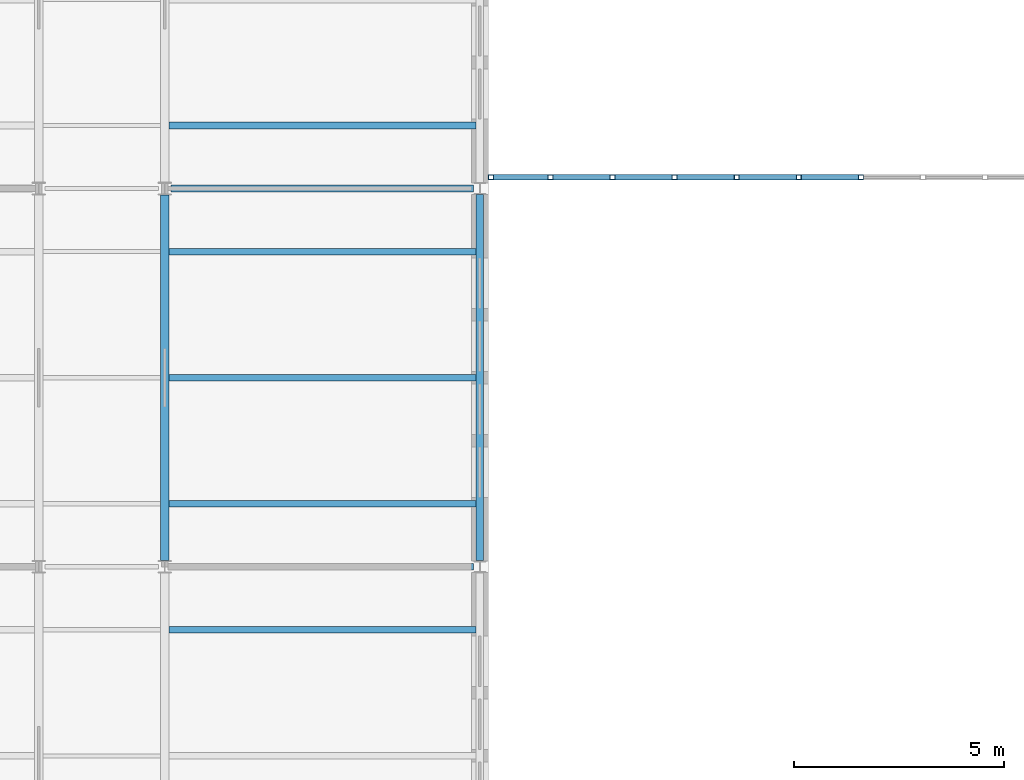
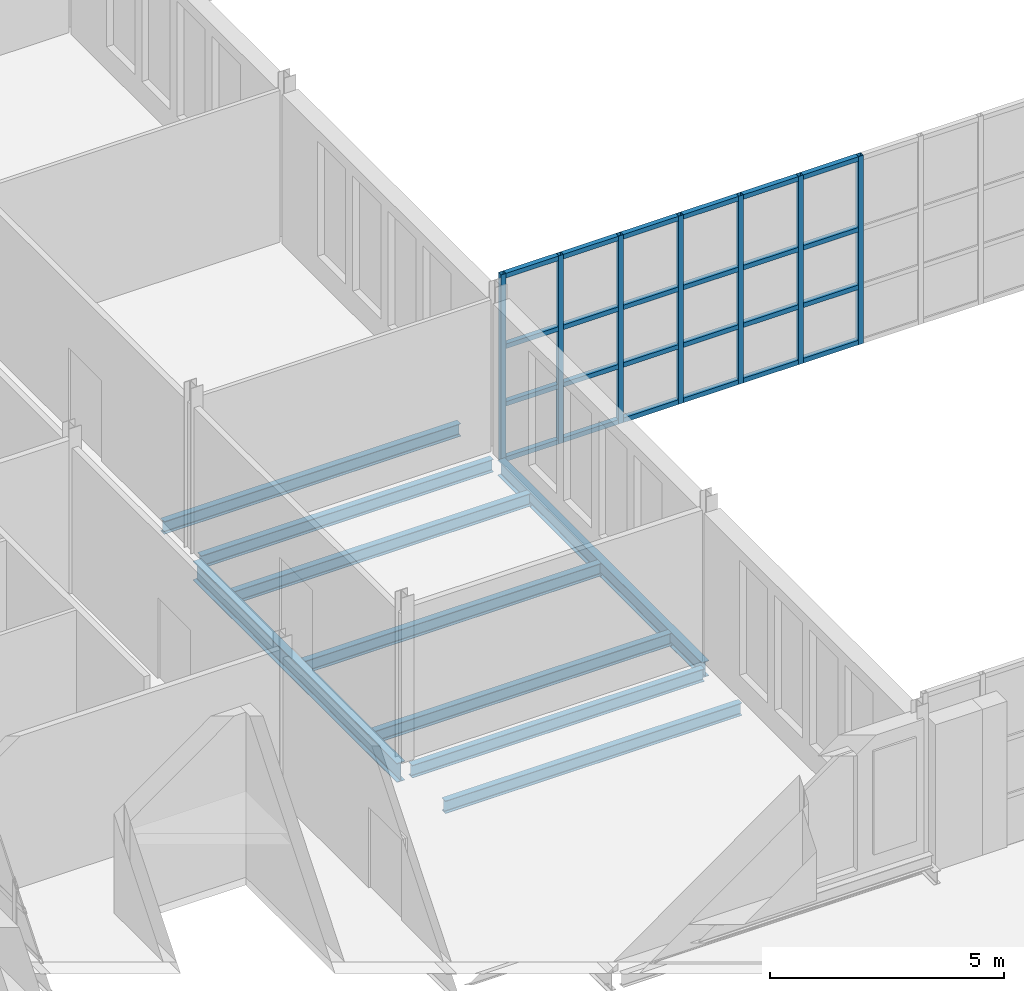
# One storey, part 26 of 134: 31 members, 9 beams, 1 element without a shape of its own.
"""IFC4 building model written with IfcOpenShell, lengths in metres."""

from ifc_helpers import new_model, si_unit, direction, frame, origin, origin_2d, place, context, subcontext, project, spatial, hollow_rectangle, i_section, extrude, material, material_profile, profile_set, type_object, element, aggregate, save


model = new_model("IFC4")

# Units and contexts
model_context = context("Model", 3, precision=1e-05, world=origin(), true_north=direction((0.0, 1.0)))
body_context = subcontext(model_context, "Body", "Model", "MODEL_VIEW")
ifc_project = project(units=[si_unit("LENGTHUNIT", "METRE"), si_unit("AREAUNIT", "SQUARE_METRE"), si_unit("VOLUMEUNIT", "CUBIC_METRE"), si_unit("PLANEANGLEUNIT", "RADIAN"), si_unit("MASSUNIT", "GRAM", prefix="KILO")], contexts=[model_context])

# Site, building, storey
site_placement = place(None, origin())
site = spatial("IfcSite", under=ifc_project, at=site_placement, CompositionType="ELEMENT")
building_placement = place(site_placement, origin())
building = spatial("IfcBuilding", under=site, at=building_placement, Name="Golden Quay Civic Hall", CompositionType="ELEMENT")
storey_placement = place(building_placement, frame((0.0, 0.0, 5.39990234375)))
storey = spatial("IfcBuildingStorey", under=building, at=storey_placement, Name="L01", CompositionType="ELEMENT", Elevation=5.39990234375)

# Curtain wall, members
ifc_material_1 = material(Name="Fire-resisting glass and steel", Category="steel")
curtain_wall_type = type_object("IfcCurtainWallType", Name="Fire-resisting glazed curtain wall EI 120", PredefinedType="NOTDEFINED", material=ifc_material_1)
curtain_wall_placement = place(storey_placement, origin())
curtain_wall = element("IfcCurtainWall", 1, at=curtain_wall_placement, inside=storey, type_object=curtain_wall_type, Name="CW3 curtain wall", PredefinedType="NOTDEFINED")
ifc_material_2 = material(Name="Steel S355", Category="steel")
ifc_material_profile_1 = material_profile(ifc_material_2, hollow_rectangle(XDim=0.1201171875, YDim=0.1201171875, WallThickness=0.008056640625, at=origin_2d()), Name="SHS 120x120x8")
ifc_profile_set_1 = profile_set([ifc_material_profile_1], Name="Steel S355")
member_type_1 = type_object("IfcMemberType", Name="Fire-resisting steel mullion SHS 120x120x8", PredefinedType="MULLION", material=ifc_profile_set_1)
member_1_placement = place(storey_placement, frame((72.260009765625, 18.27001953125, -0.599853515625), z_axis=(0.0, 0.0, 1.0), x_axis=(0.0, 1.0, 0.0)))
member_1 = element("IfcMember", 2, at=member_1_placement, type_object=member_type_1, Name="CW3 mullion 1", PredefinedType="MULLION", context=body_context, shape_type="SweptSolid", body=[
    extrude(hollow_rectangle(XDim=0.1201171875, YDim=0.1201171875, WallThickness=0.008056640625, at=origin_2d()), origin(), (0.0, 0.0, 1.0), 4.89990234375),
])
member_2_placement = place(storey_placement, frame((73.677734375, 18.27001953125, -0.599853515625), z_axis=(0.0, 0.0, 1.0), x_axis=(0.0, 1.0, 0.0)))
member_2 = element("IfcMember", 3, at=member_2_placement, type_object=member_type_1, Name="CW3 mullion 2", PredefinedType="MULLION", context=body_context, shape_type="SweptSolid", body=[
    extrude(hollow_rectangle(XDim=0.1201171875, YDim=0.1201171875, WallThickness=0.008056640625, at=origin_2d()), origin(), (0.0, 0.0, 1.0), 4.89990234375),
])
member_3_placement = place(storey_placement, frame((75.155517578125, 18.27001953125, -0.599853515625), z_axis=(0.0, 0.0, 1.0), x_axis=(0.0, 1.0, 0.0)))
member_3 = element("IfcMember", 4, at=member_3_placement, type_object=member_type_1, Name="CW3 mullion 3", PredefinedType="MULLION", context=body_context, shape_type="SweptSolid", body=[
    extrude(hollow_rectangle(XDim=0.1201171875, YDim=0.1201171875, WallThickness=0.008056640625, at=origin_2d()), origin(), (0.0, 0.0, 1.0), 4.89990234375),
])
member_4_placement = place(storey_placement, frame((76.63330078125, 18.27001953125, -0.599853515625), z_axis=(0.0, 0.0, 1.0), x_axis=(0.0, 1.0, 0.0)))
member_4 = element("IfcMember", 5, at=member_4_placement, type_object=member_type_1, Name="CW3 mullion 4", PredefinedType="MULLION", context=body_context, shape_type="SweptSolid", body=[
    extrude(hollow_rectangle(XDim=0.1201171875, YDim=0.1201171875, WallThickness=0.008056640625, at=origin_2d()), origin(), (0.0, 0.0, 1.0), 4.89990234375),
])
member_5_placement = place(storey_placement, frame((78.111083984375, 18.27001953125, -0.599853515625), z_axis=(0.0, 0.0, 1.0), x_axis=(0.0, 1.0, 0.0)))
member_5 = element("IfcMember", 6, at=member_5_placement, type_object=member_type_1, Name="CW3 mullion 5", PredefinedType="MULLION", context=body_context, shape_type="SweptSolid", body=[
    extrude(hollow_rectangle(XDim=0.1201171875, YDim=0.1201171875, WallThickness=0.008056640625, at=origin_2d()), origin(), (0.0, 0.0, 1.0), 4.89990234375),
])
member_6_placement = place(storey_placement, frame((79.5888671875, 18.27001953125, -0.599853515625), z_axis=(0.0, 0.0, 1.0), x_axis=(0.0, 1.0, 0.0)))
member_6 = element("IfcMember", 7, at=member_6_placement, type_object=member_type_1, Name="CW3 mullion 6", PredefinedType="MULLION", context=body_context, shape_type="SweptSolid", body=[
    extrude(hollow_rectangle(XDim=0.1201171875, YDim=0.1201171875, WallThickness=0.008056640625, at=origin_2d()), origin(), (0.0, 0.0, 1.0), 4.89990234375),
])
member_7_placement = place(storey_placement, frame((81.066650390625, 18.27001953125, -0.599853515625), z_axis=(0.0, 0.0, 1.0), x_axis=(0.0, 1.0, 0.0)))
member_7 = element("IfcMember", 8, at=member_7_placement, type_object=member_type_1, Name="CW3 mullion 7", PredefinedType="MULLION", context=body_context, shape_type="SweptSolid", body=[
    extrude(hollow_rectangle(XDim=0.1201171875, YDim=0.1201171875, WallThickness=0.008056640625, at=origin_2d()), origin(), (0.0, 0.0, 1.0), 4.89990234375),
])
ifc_material_3 = material(Name="Steel S355", Category="steel")
ifc_material_profile_2 = material_profile(ifc_material_3, hollow_rectangle(XDim=0.1201171875, YDim=0.1201171875, WallThickness=0.008056640625, at=origin_2d()), Name="SHS 120x120x8")
ifc_profile_set_2 = profile_set([ifc_material_profile_2], Name="Steel S355")
member_type_2 = type_object("IfcMemberType", Name="Fire-resisting steel transom SHS 120x120x8", PredefinedType="USERDEFINED", material=ifc_profile_set_2)
member_8_placement = place(storey_placement, frame((72.320068359375, 18.27001953125, -0.539794921875), z_axis=(1.0, 0.0, 0.0), x_axis=(0.0, 1.0, 0.0)))
member_8 = element("IfcMember", 9, at=member_8_placement, type_object=member_type_2, Name="CW3 transom 1.1", ObjectType="TRANSOM", PredefinedType="USERDEFINED", context=body_context, shape_type="SweptSolid", body=[
    extrude(hollow_rectangle(XDim=0.1201171875, YDim=0.1201171875, WallThickness=0.008056640625, at=origin_2d()), origin(), (0.0, 0.0, 1.0), 1.297607421875),
])
member_9_placement = place(storey_placement, frame((72.320068359375, 18.27001953125, 0.900146484375), z_axis=(1.0, 0.0, 0.0), x_axis=(0.0, 1.0, 0.0)))
member_9 = element("IfcMember", 10, at=member_9_placement, type_object=member_type_2, Name="CW3 transom 1.2", ObjectType="TRANSOM", PredefinedType="USERDEFINED", context=body_context, shape_type="SweptSolid", body=[
    extrude(hollow_rectangle(XDim=0.1201171875, YDim=0.1201171875, WallThickness=0.008056640625, at=origin_2d()), origin(), (0.0, 0.0, 1.0), 1.297607421875),
])
member_10_placement = place(storey_placement, frame((72.320068359375, 18.27001953125, 2.400146484375), z_axis=(1.0, 0.0, 0.0), x_axis=(0.0, 1.0, 0.0)))
member_10 = element("IfcMember", 11, at=member_10_placement, type_object=member_type_2, Name="CW3 transom 1.3", ObjectType="TRANSOM", PredefinedType="USERDEFINED", context=body_context, shape_type="SweptSolid", body=[
    extrude(hollow_rectangle(XDim=0.1201171875, YDim=0.1201171875, WallThickness=0.008056640625, at=origin_2d()), origin(), (0.0, 0.0, 1.0), 1.297607421875),
])
member_11_placement = place(storey_placement, frame((72.320068359375, 18.27001953125, 4.239990234375), z_axis=(1.0, 0.0, 0.0), x_axis=(0.0, 1.0, 0.0)))
member_11 = element("IfcMember", 12, at=member_11_placement, type_object=member_type_2, Name="CW3 transom 1.4", ObjectType="TRANSOM", PredefinedType="USERDEFINED", context=body_context, shape_type="SweptSolid", body=[
    extrude(hollow_rectangle(XDim=0.1201171875, YDim=0.1201171875, WallThickness=0.008056640625, at=origin_2d()), origin(), (0.0, 0.0, 1.0), 1.297607421875),
])
member_12_placement = place(storey_placement, frame((73.73779296875, 18.27001953125, -0.539794921875), z_axis=(1.0, 0.0, 0.0), x_axis=(0.0, 1.0, 0.0)))
member_12 = element("IfcMember", 13, at=member_12_placement, type_object=member_type_2, Name="CW3 transom 2.1", ObjectType="TRANSOM", PredefinedType="USERDEFINED", context=body_context, shape_type="SweptSolid", body=[
    extrude(hollow_rectangle(XDim=0.1201171875, YDim=0.1201171875, WallThickness=0.008056640625, at=origin_2d()), origin(), (0.0, 0.0, 1.0), 1.357666015625),
])
member_13_placement = place(storey_placement, frame((73.73779296875, 18.27001953125, 0.900146484375), z_axis=(1.0, 0.0, 0.0), x_axis=(0.0, 1.0, 0.0)))
member_13 = element("IfcMember", 14, at=member_13_placement, type_object=member_type_2, Name="CW3 transom 2.2", ObjectType="TRANSOM", PredefinedType="USERDEFINED", context=body_context, shape_type="SweptSolid", body=[
    extrude(hollow_rectangle(XDim=0.1201171875, YDim=0.1201171875, WallThickness=0.008056640625, at=origin_2d()), origin(), (0.0, 0.0, 1.0), 1.357666015625),
])
member_14_placement = place(storey_placement, frame((73.73779296875, 18.27001953125, 2.400146484375), z_axis=(1.0, 0.0, 0.0), x_axis=(0.0, 1.0, 0.0)))
member_14 = element("IfcMember", 15, at=member_14_placement, type_object=member_type_2, Name="CW3 transom 2.3", ObjectType="TRANSOM", PredefinedType="USERDEFINED", context=body_context, shape_type="SweptSolid", body=[
    extrude(hollow_rectangle(XDim=0.1201171875, YDim=0.1201171875, WallThickness=0.008056640625, at=origin_2d()), origin(), (0.0, 0.0, 1.0), 1.357666015625),
])
member_15_placement = place(storey_placement, frame((73.73779296875, 18.27001953125, 4.239990234375), z_axis=(1.0, 0.0, 0.0), x_axis=(0.0, 1.0, 0.0)))
member_15 = element("IfcMember", 16, at=member_15_placement, type_object=member_type_2, Name="CW3 transom 2.4", ObjectType="TRANSOM", PredefinedType="USERDEFINED", context=body_context, shape_type="SweptSolid", body=[
    extrude(hollow_rectangle(XDim=0.1201171875, YDim=0.1201171875, WallThickness=0.008056640625, at=origin_2d()), origin(), (0.0, 0.0, 1.0), 1.357666015625),
])
member_16_placement = place(storey_placement, frame((75.215576171875, 18.27001953125, -0.539794921875), z_axis=(1.0, 0.0, 0.0), x_axis=(0.0, 1.0, 0.0)))
member_16 = element("IfcMember", 17, at=member_16_placement, type_object=member_type_2, Name="CW3 transom 3.1", ObjectType="TRANSOM", PredefinedType="USERDEFINED", context=body_context, shape_type="SweptSolid", body=[
    extrude(hollow_rectangle(XDim=0.1201171875, YDim=0.1201171875, WallThickness=0.008056640625, at=origin_2d()), origin(), (0.0, 0.0, 1.0), 1.357666015625),
])
member_17_placement = place(storey_placement, frame((75.215576171875, 18.27001953125, 0.900146484375), z_axis=(1.0, 0.0, 0.0), x_axis=(0.0, 1.0, 0.0)))
member_17 = element("IfcMember", 18, at=member_17_placement, type_object=member_type_2, Name="CW3 transom 3.2", ObjectType="TRANSOM", PredefinedType="USERDEFINED", context=body_context, shape_type="SweptSolid", body=[
    extrude(hollow_rectangle(XDim=0.1201171875, YDim=0.1201171875, WallThickness=0.008056640625, at=origin_2d()), origin(), (0.0, 0.0, 1.0), 1.357666015625),
])
member_18_placement = place(storey_placement, frame((75.215576171875, 18.27001953125, 2.400146484375), z_axis=(1.0, 0.0, 0.0), x_axis=(0.0, 1.0, 0.0)))
member_18 = element("IfcMember", 19, at=member_18_placement, type_object=member_type_2, Name="CW3 transom 3.3", ObjectType="TRANSOM", PredefinedType="USERDEFINED", context=body_context, shape_type="SweptSolid", body=[
    extrude(hollow_rectangle(XDim=0.1201171875, YDim=0.1201171875, WallThickness=0.008056640625, at=origin_2d()), origin(), (0.0, 0.0, 1.0), 1.357666015625),
])
member_19_placement = place(storey_placement, frame((75.215576171875, 18.27001953125, 4.239990234375), z_axis=(1.0, 0.0, 0.0), x_axis=(0.0, 1.0, 0.0)))
member_19 = element("IfcMember", 20, at=member_19_placement, type_object=member_type_2, Name="CW3 transom 3.4", ObjectType="TRANSOM", PredefinedType="USERDEFINED", context=body_context, shape_type="SweptSolid", body=[
    extrude(hollow_rectangle(XDim=0.1201171875, YDim=0.1201171875, WallThickness=0.008056640625, at=origin_2d()), origin(), (0.0, 0.0, 1.0), 1.357666015625),
])
member_20_placement = place(storey_placement, frame((76.693359375, 18.27001953125, -0.539794921875), z_axis=(1.0, 0.0, 0.0), x_axis=(0.0, 1.0, 0.0)))
member_20 = element("IfcMember", 21, at=member_20_placement, type_object=member_type_2, Name="CW3 transom 4.1", ObjectType="TRANSOM", PredefinedType="USERDEFINED", context=body_context, shape_type="SweptSolid", body=[
    extrude(hollow_rectangle(XDim=0.1201171875, YDim=0.1201171875, WallThickness=0.008056640625, at=origin_2d()), origin(), (0.0, 0.0, 1.0), 1.357666015625),
])
member_21_placement = place(storey_placement, frame((76.693359375, 18.27001953125, 0.900146484375), z_axis=(1.0, 0.0, 0.0), x_axis=(0.0, 1.0, 0.0)))
member_21 = element("IfcMember", 22, at=member_21_placement, type_object=member_type_2, Name="CW3 transom 4.2", ObjectType="TRANSOM", PredefinedType="USERDEFINED", context=body_context, shape_type="SweptSolid", body=[
    extrude(hollow_rectangle(XDim=0.1201171875, YDim=0.1201171875, WallThickness=0.008056640625, at=origin_2d()), origin(), (0.0, 0.0, 1.0), 1.357666015625),
])
member_22_placement = place(storey_placement, frame((76.693359375, 18.27001953125, 2.400146484375), z_axis=(1.0, 0.0, 0.0), x_axis=(0.0, 1.0, 0.0)))
member_22 = element("IfcMember", 23, at=member_22_placement, type_object=member_type_2, Name="CW3 transom 4.3", ObjectType="TRANSOM", PredefinedType="USERDEFINED", context=body_context, shape_type="SweptSolid", body=[
    extrude(hollow_rectangle(XDim=0.1201171875, YDim=0.1201171875, WallThickness=0.008056640625, at=origin_2d()), origin(), (0.0, 0.0, 1.0), 1.357666015625),
])
member_23_placement = place(storey_placement, frame((76.693359375, 18.27001953125, 4.239990234375), z_axis=(1.0, 0.0, 0.0), x_axis=(0.0, 1.0, 0.0)))
member_23 = element("IfcMember", 24, at=member_23_placement, type_object=member_type_2, Name="CW3 transom 4.4", ObjectType="TRANSOM", PredefinedType="USERDEFINED", context=body_context, shape_type="SweptSolid", body=[
    extrude(hollow_rectangle(XDim=0.1201171875, YDim=0.1201171875, WallThickness=0.008056640625, at=origin_2d()), origin(), (0.0, 0.0, 1.0), 1.357666015625),
])
member_24_placement = place(storey_placement, frame((78.171142578125, 18.27001953125, -0.539794921875), z_axis=(1.0, 0.0, 0.0), x_axis=(0.0, 1.0, 0.0)))
member_24 = element("IfcMember", 25, at=member_24_placement, type_object=member_type_2, Name="CW3 transom 5.1", ObjectType="TRANSOM", PredefinedType="USERDEFINED", context=body_context, shape_type="SweptSolid", body=[
    extrude(hollow_rectangle(XDim=0.1201171875, YDim=0.1201171875, WallThickness=0.008056640625, at=origin_2d()), origin(), (0.0, 0.0, 1.0), 1.357666015625),
])
member_25_placement = place(storey_placement, frame((78.171142578125, 18.27001953125, 0.900146484375), z_axis=(1.0, 0.0, 0.0), x_axis=(0.0, 1.0, 0.0)))
member_25 = element("IfcMember", 26, at=member_25_placement, type_object=member_type_2, Name="CW3 transom 5.2", ObjectType="TRANSOM", PredefinedType="USERDEFINED", context=body_context, shape_type="SweptSolid", body=[
    extrude(hollow_rectangle(XDim=0.1201171875, YDim=0.1201171875, WallThickness=0.008056640625, at=origin_2d()), origin(), (0.0, 0.0, 1.0), 1.357666015625),
])
member_26_placement = place(storey_placement, frame((78.171142578125, 18.27001953125, 2.400146484375), z_axis=(1.0, 0.0, 0.0), x_axis=(0.0, 1.0, 0.0)))
member_26 = element("IfcMember", 27, at=member_26_placement, type_object=member_type_2, Name="CW3 transom 5.3", ObjectType="TRANSOM", PredefinedType="USERDEFINED", context=body_context, shape_type="SweptSolid", body=[
    extrude(hollow_rectangle(XDim=0.1201171875, YDim=0.1201171875, WallThickness=0.008056640625, at=origin_2d()), origin(), (0.0, 0.0, 1.0), 1.357666015625),
])
member_27_placement = place(storey_placement, frame((78.171142578125, 18.27001953125, 4.239990234375), z_axis=(1.0, 0.0, 0.0), x_axis=(0.0, 1.0, 0.0)))
member_27 = element("IfcMember", 28, at=member_27_placement, type_object=member_type_2, Name="CW3 transom 5.4", ObjectType="TRANSOM", PredefinedType="USERDEFINED", context=body_context, shape_type="SweptSolid", body=[
    extrude(hollow_rectangle(XDim=0.1201171875, YDim=0.1201171875, WallThickness=0.008056640625, at=origin_2d()), origin(), (0.0, 0.0, 1.0), 1.357666015625),
])
member_28_placement = place(storey_placement, frame((79.64892578125, 18.27001953125, -0.539794921875), z_axis=(1.0, 0.0, 0.0), x_axis=(0.0, 1.0, 0.0)))
member_28 = element("IfcMember", 29, at=member_28_placement, type_object=member_type_2, Name="CW3 transom 6.1", ObjectType="TRANSOM", PredefinedType="USERDEFINED", context=body_context, shape_type="SweptSolid", body=[
    extrude(hollow_rectangle(XDim=0.1201171875, YDim=0.1201171875, WallThickness=0.008056640625, at=origin_2d()), origin(), (0.0, 0.0, 1.0), 1.357666015625),
])
member_29_placement = place(storey_placement, frame((79.64892578125, 18.27001953125, 0.900146484375), z_axis=(1.0, 0.0, 0.0), x_axis=(0.0, 1.0, 0.0)))
member_29 = element("IfcMember", 30, at=member_29_placement, type_object=member_type_2, Name="CW3 transom 6.2", ObjectType="TRANSOM", PredefinedType="USERDEFINED", context=body_context, shape_type="SweptSolid", body=[
    extrude(hollow_rectangle(XDim=0.1201171875, YDim=0.1201171875, WallThickness=0.008056640625, at=origin_2d()), origin(), (0.0, 0.0, 1.0), 1.357666015625),
])
member_30_placement = place(storey_placement, frame((79.64892578125, 18.27001953125, 2.400146484375), z_axis=(1.0, 0.0, 0.0), x_axis=(0.0, 1.0, 0.0)))
member_30 = element("IfcMember", 31, at=member_30_placement, type_object=member_type_2, Name="CW3 transom 6.3", ObjectType="TRANSOM", PredefinedType="USERDEFINED", context=body_context, shape_type="SweptSolid", body=[
    extrude(hollow_rectangle(XDim=0.1201171875, YDim=0.1201171875, WallThickness=0.008056640625, at=origin_2d()), origin(), (0.0, 0.0, 1.0), 1.357666015625),
])
member_31_placement = place(storey_placement, frame((79.64892578125, 18.27001953125, 4.239990234375), z_axis=(1.0, 0.0, 0.0), x_axis=(0.0, 1.0, 0.0)))
member_31 = element("IfcMember", 32, at=member_31_placement, type_object=member_type_2, Name="CW3 transom 6.4", ObjectType="TRANSOM", PredefinedType="USERDEFINED", context=body_context, shape_type="SweptSolid", body=[
    extrude(hollow_rectangle(XDim=0.1201171875, YDim=0.1201171875, WallThickness=0.008056640625, at=origin_2d()), origin(), (0.0, 0.0, 1.0), 1.357666015625),
])
aggregate(curtain_wall, [member_1, member_2, member_3, member_4, member_5, member_6, member_7, member_8, member_9, member_10, member_11, member_12, member_13, member_14, member_15, member_16, member_17, member_18, member_19, member_20, member_21, member_22, member_23, member_24, member_25, member_26, member_27, member_28, member_29, member_30, member_31])

# Beams
ifc_material_4 = material(Name="Steel S355", Category="steel")
ifc_material_profile_3 = material_profile(ifc_material_4, i_section(OverallWidth=0.159912109375, OverallDepth=0.330078125, WebThickness=0.007568359375, FlangeThickness=0.011474609375, FilletRadius=0.01806640625, at=origin_2d()), Name="IPE 330")
ifc_profile_set_3 = profile_set([ifc_material_profile_3], Name="Steel S355")
beam_type_1 = type_object("IfcBeamType", Name="Steel beam IPE 330", PredefinedType="BEAM", material=ifc_profile_set_3)
for number, where, z_axis, x_axis, name in (
    (33, (64.64990234375, 9.0, -0.364990234375), (1.0, 0.0, 0.0), (0.0, 1.0, 0.0), "Beam S9-64.5"),
    (34, (64.64990234375, 18.0, -0.364990234375), (1.0, 0.0, 0.0), (0.0, 1.0, 0.0), "Beam S18-64.5"),
):
    element("IfcBeam", number, at=place(storey_placement, frame(where, z_axis=z_axis, x_axis=x_axis)), inside=storey, type_object=beam_type_1, Name=name, PredefinedType="BEAM", context=body_context, shape_type="SweptSolid", body=[
        extrude(i_section(OverallWidth=0.159912109375, OverallDepth=0.330078125, WebThickness=0.007568359375, FlangeThickness=0.011474609375, FilletRadius=0.01806640625, at=origin_2d()), origin(), (0.0, 0.0, 1.0), 7.2001953125),
    ])
ifc_material_5 = material(Name="Steel S355", Category="steel")
ifc_material_profile_4 = material_profile(ifc_material_5, i_section(OverallWidth=0.179931640625, OverallDepth=0.39990234375, WebThickness=0.008544921875, FlangeThickness=0.013427734375, FilletRadius=0.02099609375, at=origin_2d()), Name="IPE 400")
ifc_profile_set_4 = profile_set([ifc_material_profile_4], Name="Steel S355")
beam_type_2 = type_object("IfcBeamType", Name="Steel beam IPE 400", PredefinedType="BEAM", material=ifc_profile_set_4)
beam_1_placement = place(storey_placement, frame((72.0, 9.14501953125, -0.39990234375), z_axis=(0.0, 1.0, 0.0), x_axis=(-1.0, 0.0, 0.0)))
element("IfcBeam", 35, at=beam_1_placement, inside=storey, type_object=beam_type_2, Name="Beam L72-9", PredefinedType="BEAM", context=body_context, shape_type="SweptSolid", body=[
    extrude(i_section(OverallWidth=0.179931640625, OverallDepth=0.39990234375, WebThickness=0.008544921875, FlangeThickness=0.013427734375, FilletRadius=0.02099609375, at=origin_2d()), origin(), (0.0, 0.0, 1.0), 8.7099609375),
])
ifc_material_6 = material(Name="Steel S355", Category="steel")
ifc_material_profile_5 = material_profile(ifc_material_6, i_section(OverallWidth=0.199951171875, OverallDepth=0.5, WebThickness=0.01025390625, FlangeThickness=0.01611328125, FilletRadius=0.02099609375, at=origin_2d()), Name="IPE 500")
ifc_profile_set_5 = profile_set([ifc_material_profile_5], Name="Steel S355")
beam_type_3 = type_object("IfcBeamType", Name="Steel beam IPE 500", PredefinedType="BEAM", material=ifc_profile_set_5)
beam_2_placement = place(storey_placement, frame((64.5, 9.14990234375, -0.449951171875), z_axis=(0.0, 1.0, 0.0), x_axis=(-1.0, 0.0, 0.0)))
element("IfcBeam", 36, at=beam_2_placement, inside=storey, type_object=beam_type_3, Name="Beam L64.5-9", PredefinedType="BEAM", context=body_context, shape_type="SweptSolid", body=[
    extrude(i_section(OverallWidth=0.199951171875, OverallDepth=0.5, WebThickness=0.01025390625, FlangeThickness=0.01611328125, FilletRadius=0.02099609375, at=origin_2d()), origin(), (0.0, 0.0, 1.0), 8.7001953125),
])
ifc_material_7 = material(Name="Steel S355", Category="steel")
ifc_material_profile_6 = material_profile(ifc_material_7, i_section(OverallWidth=0.159912109375, OverallDepth=0.330078125, WebThickness=0.007568359375, FlangeThickness=0.011474609375, FilletRadius=0.01806640625, at=origin_2d()), Name="IPE 330")
ifc_profile_set_6 = profile_set([ifc_material_profile_6], Name="Steel S355")
beam_type_4 = type_object("IfcBeamType", Name="Steel joist IPE 330", PredefinedType="JOIST", material=ifc_profile_set_6)
for number, where, z_axis, x_axis, name in (
    (37, (64.60009765625, 7.5, -0.364990234375), (1.0, 0.0, 0.0), (0.0, 1.0, 0.0), "Joist J7.5-64.5"),
    (38, (64.60009765625, 10.5, -0.364990234375), (1.0, 0.0, 0.0), (0.0, 1.0, 0.0), "Joist J10.5-64.5"),
    (39, (64.60009765625, 13.5, -0.364990234375), (1.0, 0.0, 0.0), (0.0, 1.0, 0.0), "Joist J13.5-64.5"),
    (40, (64.60009765625, 16.5, -0.364990234375), (1.0, 0.0, 0.0), (0.0, 1.0, 0.0), "Joist J16.5-64.5"),
    (41, (64.60009765625, 19.5, -0.364990234375), (1.0, 0.0, 0.0), (0.0, 1.0, 0.0), "Joist J19.5-64.5"),
):
    element("IfcBeam", number, at=place(storey_placement, frame(where, z_axis=z_axis, x_axis=x_axis)), inside=storey, type_object=beam_type_4, Name=name, PredefinedType="JOIST", context=body_context, shape_type="SweptSolid", body=[
        extrude(i_section(OverallWidth=0.159912109375, OverallDepth=0.330078125, WebThickness=0.007568359375, FlangeThickness=0.011474609375, FilletRadius=0.01806640625, at=origin_2d()), origin(), (0.0, 0.0, 1.0), 7.309814453125),
    ])

save(model, "model.ifc")
